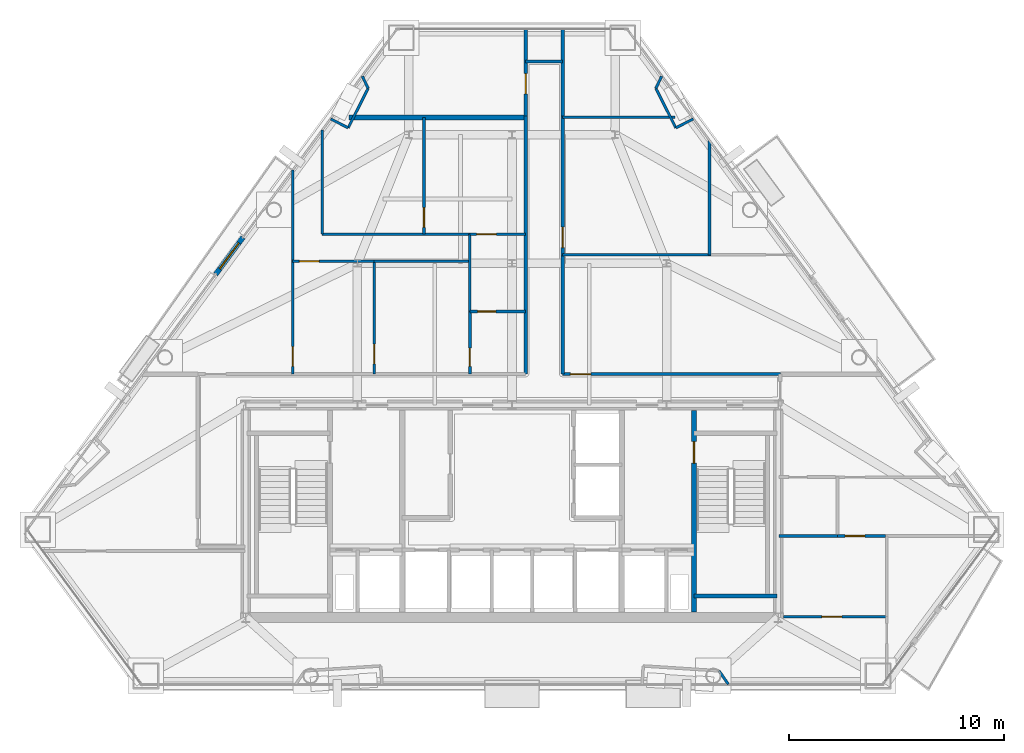
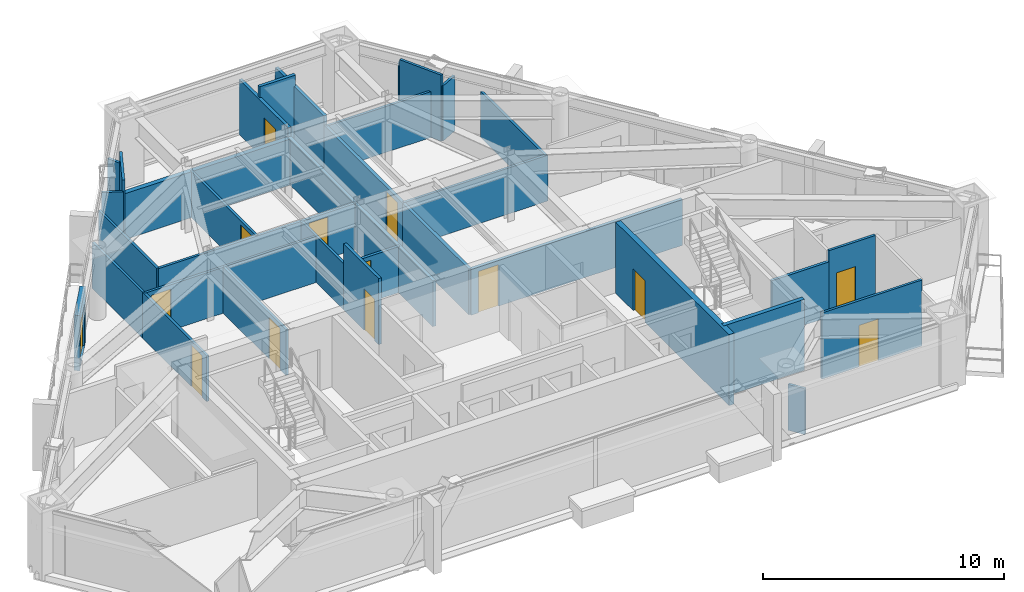
# One storey, part 8 of 11: 36 walls, 14 doors, 14 openings.
"""IFC4 building model written with IfcOpenShell, lengths in metres."""

import ifcopenshell
import ifcopenshell.guid

model = None  # the IFC model being written
_history = None  # IfcOwnerHistory: only IFC2X3 demands one
_inside = {}  # id of a spatial element -> (the spatial element, [elements in it])
_under = {}  # id of a project, library or spatial element -> (it, [spatial elements below it])
_declared = {}  # id of a project -> (the project, [libraries it declares])
_typed = {}  # id of a type object -> (the type object, [elements of that type])
_made_of = {}  # id of a material, layer set ... -> (it, [elements and type objects made of it])


def new_model(schema):
    """Start an empty IFC model of exactly this schema.

    Asked for "IFC4X3", IfcOpenShell would pick the latest addendum, in which some entities
    have other attributes; the version numbers below select the first issue.
    IFC2X3 requires an IfcOwnerHistory on every rooted entity: one is made here for all.
    """
    global model, _history
    if schema == "IFC4X3":
        model = ifcopenshell.file(schema_version=(4, 3, 0, 0))
    else:
        model = ifcopenshell.file(schema=schema)
    _inside.clear()
    _under.clear()
    _declared.clear()
    _typed.clear()
    _made_of.clear()
    _history = None
    if model.schema == "IFC2X3":
        org = make("IfcOrganization", Name="unknown")
        user = make(
            "IfcPersonAndOrganization",
            ThePerson=make("IfcPerson", FamilyName="unknown"),
            TheOrganization=org,
        )
        app = make(
            "IfcApplication",
            ApplicationDeveloper=org,
            Version="unknown",
            ApplicationFullName="unknown",
            ApplicationIdentifier="unknown",
        )
        _history = make(
            "IfcOwnerHistory",
            OwningUser=user,
            OwningApplication=app,
            ChangeAction="ADDED",
            CreationDate=0,
        )
    return model


def make(cls, **values):
    """One entity of the class cls with the attributes given. An attribute that is None is left unset."""
    return model.create_entity(
        cls, **{name: value for name, value in values.items() if value is not None}
    )


def rooted(cls, **values):
    """An entity with a GlobalId (a new one), such as an element, a storey or a relation."""
    return make(cls, GlobalId=ifcopenshell.guid.new(), OwnerHistory=_history, **values)


def si_unit(unit_type, name, prefix=None):
    """IfcSIUnit, for example si_unit("LENGTHUNIT", "METRE", prefix="MILLI")."""
    return make("IfcSIUnit", UnitType=unit_type, Prefix=prefix, Name=name)


def assignment(units):
    """IfcUnitAssignment: the units of a project."""
    return None if units is None else make("IfcUnitAssignment", Units=units)


def point(xyz):
    """IfcCartesianPoint."""
    return None if xyz is None else make("IfcCartesianPoint", Coordinates=xyz)


def direction(xyz):
    """IfcDirection."""
    return None if xyz is None else make("IfcDirection", DirectionRatios=xyz)


def frame(location, z_axis=None, x_axis=None):
    """IfcAxis2Placement3D, a coordinate frame: its origin and axes. An axis left out is left unset."""
    return make(
        "IfcAxis2Placement3D",
        Location=point(location),
        Axis=direction(z_axis),
        RefDirection=direction(x_axis),
    )


def frame_2d(location, x_axis=None):
    """IfcAxis2Placement2D, a coordinate frame in the plane: its origin and x axis."""
    return make(
        "IfcAxis2Placement2D", Location=point(location), RefDirection=direction(x_axis)
    )


def origin():
    """The frame at (0, 0, 0) with its axes left unset."""
    return frame((0.0, 0.0, 0.0))


def place(relative_to, where):
    """IfcLocalPlacement: puts the frame where relative to a parent placement (None: the world)."""
    return make(
        "IfcLocalPlacement", PlacementRelTo=relative_to, RelativePlacement=where
    )


def context(
    kind, dimensions, precision=None, world=None, true_north=None, identifier=None
):
    """IfcGeometricRepresentationContext, for example the 3D "Model" context."""
    return make(
        "IfcGeometricRepresentationContext",
        ContextIdentifier=identifier,
        ContextType=kind,
        CoordinateSpaceDimension=dimensions,
        Precision=precision,
        WorldCoordinateSystem=world,
        TrueNorth=true_north,
    )


def subcontext(parent, identifier, kind, view, scale=None):
    """IfcGeometricRepresentationSubContext, for example "Body" below "Model"."""
    return make(
        "IfcGeometricRepresentationSubContext",
        ContextIdentifier=identifier,
        ContextType=kind,
        ParentContext=parent,
        TargetScale=scale,
        TargetView=view,
    )


def project(units=None, contexts=None):
    """IfcProject with its units and contexts."""
    return rooted(
        "IfcProject",
        Name="project",
        RepresentationContexts=contexts,
        UnitsInContext=assignment(units),
    )


def spatial(cls, under=None, at=None, **own):
    """A site, building, storey or space (cls), placed at a placement, below another one or the project."""
    s = rooted(cls, ObjectPlacement=at, **own)
    if under is not None:
        _under.setdefault(under.id(), (under, []))[1].append(s)
    return s


def profile(cls, at=None, kind="AREA", **sizes):
    """A parametric profile (cls). Its sizes go by their IFC names, for example OverallWidth=200.0."""
    return make(cls, ProfileType=kind, Position=at, **sizes)


def rectangle(**sizes):
    """IfcRectangleProfileDef."""
    return profile("IfcRectangleProfileDef", **sizes)


def extrude(swept, where, along, depth):
    """IfcExtrudedAreaSolid: the profile swept, set in the frame where, extruded along a direction by depth."""
    return make(
        "IfcExtrudedAreaSolid",
        SweptArea=swept,
        Position=where,
        ExtrudedDirection=direction(along),
        Depth=depth,
    )


def shape(context_of_items, identifier, shape_type, items):
    """IfcShapeRepresentation: the items that make up one representation, for example the "Body"."""
    return make(
        "IfcShapeRepresentation",
        ContextOfItems=context_of_items,
        RepresentationIdentifier=identifier,
        RepresentationType=shape_type,
        Items=items,
    )


def material(Name=None, Category=None):
    """IfcMaterial."""
    return make("IfcMaterial", Name=Name, Category=Category)


def layer(
    of_material, thickness, ventilated=None, Name=None, Category=None, Priority=None
):
    """IfcMaterialLayer: one layer of a wall or slab, of a material (None: an air gap)."""
    return make(
        "IfcMaterialLayer",
        Material=of_material,
        LayerThickness=thickness,
        IsVentilated=ventilated,
        Name=Name,
        Category=Category,
        Priority=Priority,
    )


def layer_set(layers, Name=None):
    """IfcMaterialLayerSet."""
    return make("IfcMaterialLayerSet", MaterialLayers=layers, LayerSetName=Name)


def made_of(thing, what):
    """Note that an element or type object is made of a material, layer set ...; save() writes the relation."""
    if what is not None:
        _made_of.setdefault(what.id(), (what, []))[1].append(thing)
    return thing


def type_object(cls, material=None, **own):
    """A type object (cls), such as IfcWallType, which elements share."""
    return made_of(rooted(cls, **own), material)


def element(
    cls,
    number,
    at=None,
    inside=None,
    cuts=None,
    type_object=None,
    material=None,
    context=None,
    identifier="Body",
    shape_type=None,
    held_by="IfcProductDefinitionShape",
    body=None,
    shapes=None,
    **own,
):
    """One element of the class cls, such as IfcWall. Its Tag is "e" and its number.

    at: its placement. inside: the storey or other place that contains it. cuts: it is an
    opening in that element (IfcRelVoidsElement). A single representation is given by context,
    identifier, shape_type and body (its items); several are given by shapes. held_by: the class
    of the entity that holds the representations. save() writes the other relations.
    """
    e = rooted(cls, Tag="e%d" % number, ObjectPlacement=at, **own)
    if body is not None:
        shapes = [shape(context, identifier, shape_type, body)]
    if shapes is not None:
        e.Representation = make(held_by, Representations=shapes)
    if inside is not None:
        _inside.setdefault(inside.id(), (inside, []))[1].append(e)
    if cuts is not None:
        rooted(
            "IfcRelVoidsElement", RelatingBuildingElement=cuts, RelatedOpeningElement=e
        )
    if type_object is not None:
        _typed.setdefault(type_object.id(), (type_object, []))[1].append(e)
    return made_of(e, material)


def fill(opening, filler):
    """IfcRelFillsElement: the door or window that sits in an opening."""
    return rooted(
        "IfcRelFillsElement",
        RelatingOpeningElement=opening,
        RelatedBuildingElement=filler,
    )


def aggregate(whole, parts):
    """IfcRelAggregates: a whole, such as a stair, and the parts it consists of."""
    return rooted("IfcRelAggregates", RelatingObject=whole, RelatedObjects=parts)


def save(model, path):
    """Write the relations noted so far, then the file.

    IfcRelAggregates (storeys below a building ...), IfcRelContainedInSpatialStructure (elements
    in a storey), IfcRelDefinesByType, IfcRelAssociatesMaterial and IfcRelDeclares: one each for
    every whole, place, type object, material and project.
    """
    for whole, parts in _under.values():
        aggregate(whole, parts)
    for where, things in _inside.values():
        rooted(
            "IfcRelContainedInSpatialStructure",
            RelatedElements=things,
            RelatingStructure=where,
        )
    for kind, things in _typed.values():
        rooted("IfcRelDefinesByType", RelatedObjects=things, RelatingType=kind)
    for what, things in _made_of.values():
        rooted("IfcRelAssociatesMaterial", RelatedObjects=things, RelatingMaterial=what)
    for by, libraries in _declared.values():
        rooted("IfcRelDeclares", RelatingContext=by, RelatedDefinitions=libraries)
    model.write(path)


model = new_model("IFC4")

# Units and contexts
model_context = context("Model", 3, precision=1e-05, world=origin(), true_north=direction((0.0, 1.0)))
body_context = subcontext(model_context, "Body", "Model", "MODEL_VIEW")
ifc_project = project(units=[si_unit("LENGTHUNIT", "METRE"), si_unit("AREAUNIT", "SQUARE_METRE"), si_unit("VOLUMEUNIT", "CUBIC_METRE"), si_unit("PLANEANGLEUNIT", "RADIAN"), si_unit("MASSUNIT", "GRAM", prefix="KILO")], contexts=[model_context])

# Site, building, storey
site_placement = place(None, origin())
site = spatial("IfcSite", under=ifc_project, at=site_placement, CompositionType="ELEMENT")
building_placement = place(site_placement, origin())
building = spatial("IfcBuilding", under=site, at=building_placement, Name="Talgorran Terracotta Tower", CompositionType="ELEMENT")
storey_placement = place(building_placement, frame((0.0, 0.0, 140.10009765625)))
storey = spatial("IfcBuildingStorey", under=building, at=storey_placement, Name="L36", CompositionType="ELEMENT", Elevation=140.10009765625)

# Wall, opening, door
ifc_material_1 = material(Name="Concrete C40/50", Category="concrete")
ifc_layer_1 = layer(ifc_material_1, 0.239990234375, Name="WT_BALCONY_SPAND")
ifc_layer_set_1 = layer_set([ifc_layer_1], Name="Concrete C40/50")
wall_type_1 = type_object("IfcWallType", Name="WT_BALCONY_SPAND", PredefinedType="STANDARD", material=ifc_layer_set_1)
wall_1_placement = place(storey_placement, frame((-12.5322265625, 3.613525390625, -0.01513671875), z_axis=(0.0, 0.0, 1.0), x_axis=(-0.594381437757, -0.804183254271, 0.0)))
wall_1 = element("IfcWall", 1, at=wall_1_placement, inside=storey, type_object=wall_type_1, Name="WL-L36-BALP-BAL-NW", PredefinedType="STANDARD", context=body_context, shape_type="SweptSolid", body=[
    extrude(rectangle(XDim=2.139892578125, YDim=0.239990234375, at=frame_2d((1.06982421875, 0.0))), origin(), (0.0, 0.0, 1.0), 2.80712890625),
])
opening_1_placement = place(wall_1_placement, frame((0.320068359375, 0.0, 0.014892578125)))
opening_1 = element("IfcOpeningElement", 2, at=opening_1_placement, cuts=wall_1, Name="Opening D-BAL-L36-2", PredefinedType="OPENING", context=body_context, shape_type="SweptSolid", body=[
    extrude(rectangle(XDim=1.506, YDim=2.203951171875, at=frame_2d((0.75, 1.10205078125))), frame((0.0, 0.1298828125, 0.0), z_axis=(0.0, -1.0, 0.0), x_axis=(1.0, 0.0, 0.0)), (0.0, 0.0, 1.0), 0.260009765625),
])
ifc_material_2 = material(Name="Thermally Broken Aluminium", Category="aluminium")
door_type_1 = type_object("IfcDoorType", Name="DT_BALC_1500", OperationType="SLIDING_TO_RIGHT", PredefinedType="DOOR", material=ifc_material_2)
door_1_placement = place(opening_1_placement, origin())
door_1 = element("IfcDoor", 3, at=door_1_placement, inside=storey, type_object=door_type_1, Name="DR-L36-BAL-BAL-NW", OperationType="SLIDING_TO_RIGHT", OverallHeight=2.199951171875, OverallWidth=1.5, PredefinedType="DOOR", context=body_context, shape_type="SweptSolid", body=[
    extrude(rectangle(XDim=1.5, YDim=2.199951171875, at=frame_2d((0.75, 1.10009765625))), frame((0.0, 0.02490234375, 0.0), z_axis=(0.0, -1.0, 0.0), x_axis=(1.0, 0.0, 0.0)), (0.0, 0.0, 1.0), 0.050048828125),
])
fill(opening_1, door_1)

# Wall
ifc_material_3 = material(Name="Concrete C50/60", Category="concrete")
ifc_layer_2 = layer(ifc_material_3, 0.199951171875, Name="WT_CORE_200")
ifc_layer_set_2 = layer_set([ifc_layer_2], Name="Concrete C50/60")
wall_type_2 = type_object("IfcWallType", Name="WT_CORE_200", PredefinedType="SOLIDWALL", material=ifc_layer_set_2)
wall_2_placement = place(storey_placement, frame((8.47998046875, -13.10009765625, 0.0), z_axis=(0.0, 0.0, 1.0), x_axis=(1.0, 0.0, 0.0)))
element("IfcWall", 4, at=wall_2_placement, inside=storey, type_object=wall_type_2, Name="WL-L36-CW-ST2-S", PredefinedType="SOLIDWALL", context=body_context, shape_type="SweptSolid", body=[
    extrude(rectangle(XDim=3.8701171875, YDim=0.199951171875, at=frame_2d((1.93505859375, 0.0))), origin(), (0.0, 0.0, 1.0), 3.599853515625),
])

# Wall, opening, door
ifc_layer_3 = layer(ifc_material_3, 0.25, Name="WT_CORE_250")
ifc_layer_set_3 = layer_set([ifc_layer_3], Name="Concrete C50/60")
wall_type_3 = type_object("IfcWallType", Name="WT_CORE_250", PredefinedType="SHEAR", material=ifc_layer_set_3)
wall_3_placement = place(storey_placement, frame((8.47998046875, -13.85009765625, 0.0), z_axis=(0.0, 0.0, 1.0), x_axis=(0.0, 1.0, 0.0)))
wall_3 = element("IfcWall", 5, at=wall_3_placement, inside=storey, type_object=wall_type_3, Name="WL-L36-CW-V-E1", PredefinedType="SHEAR", context=body_context, shape_type="SweptSolid", body=[
    extrude(rectangle(XDim=9.400146484375, YDim=0.25, at=frame_2d((4.7001953125, 0.0))), origin(), (0.0, 0.0, 1.0), 3.599853515625),
])
opening_2_placement = place(wall_3_placement, frame((6.949951171875, 0.0, 0.0)))
opening_2 = element("IfcOpeningElement", 6, at=opening_2_placement, cuts=wall_3, Name="Opening DR-ST02", PredefinedType="OPENING", context=body_context, shape_type="SweptSolid", body=[
    extrude(rectangle(XDim=1.006, YDim=2.10409765625, at=frame_2d((0.5, 1.052001953125))), frame((0.0, 0.135009765625, 0.0), z_axis=(0.0, -1.0, 0.0), x_axis=(1.0, 0.0, 0.0)), (0.0, 0.0, 1.0), 0.27001953125),
])
ifc_material_4 = material(Name="Fire-Rated Pressed Steel", Category="steel")
door_type_2 = type_object("IfcDoorType", Name="DT_FIRE_1000", OperationType="NOTDEFINED", PredefinedType="DOOR", material=ifc_material_4)
door_2_placement = place(opening_2_placement, origin())
door_2 = element("IfcDoor", 7, at=door_2_placement, inside=storey, type_object=door_type_2, Name="DR-ST02", OperationType="SINGLE_SWING_RIGHT", OverallHeight=2.10009765625, OverallWidth=1.0, PredefinedType="DOOR", context=body_context, shape_type="SweptSolid", body=[
    extrude(rectangle(XDim=1.0, YDim=2.10009765625, at=frame_2d((0.5, 1.050048828125))), frame((0.0, 0.02490234375, 0.0), z_axis=(0.0, -1.0, 0.0), x_axis=(1.0, 0.0, 0.0)), (0.0, 0.0, 1.0), 0.050048828125),
])
fill(opening_2, door_2)

ifc_material_5 = material(Name="Fire-Rated Steel Stud Plasterboard", Category="steel")
ifc_layer_4 = layer(ifc_material_5, 0.14990234375, Name="WT_FIRE_150")
ifc_layer_set_4 = layer_set([ifc_layer_4], Name="Fire-Rated Steel Stud Plasterboard")
wall_type_4 = type_object("IfcWallType", Name="WT_FIRE_150", PredefinedType="PARTITIONING", material=ifc_layer_set_4)
wall_4_placement = place(storey_placement, frame((2.360107421875, -2.760009765625, 0.0), z_axis=(0.0, 0.0, 1.0), x_axis=(1.0, 0.0, 0.0)))
wall_4 = element("IfcWall", 8, at=wall_4_placement, inside=storey, type_object=wall_type_4, Name="WL-L36-W-L36-R12", PredefinedType="PARTITIONING", context=body_context, shape_type="SweptSolid", body=[
    extrude(rectangle(XDim=10.139892578125, YDim=0.14990234375, at=frame_2d((5.06982421875, 0.0))), origin(), (0.0, 0.0, 1.0), 2.324951171875),
])
opening_3_placement = place(wall_4_placement, frame((0.359619140625, 0.0, 0.0)))
opening_3 = element("IfcOpeningElement", 9, at=opening_3_placement, cuts=wall_4, Name="Opening DR-L36-R15", PredefinedType="OPENING", context=body_context, shape_type="SweptSolid", body=[
    extrude(rectangle(XDim=0.955951171875, YDim=2.10409765625, at=frame_2d((0.47509765625, 1.052001953125))), frame((0.0, 0.0849609375, 0.0), z_axis=(0.0, -1.0, 0.0), x_axis=(1.0, 0.0, 0.0)), (0.0, 0.0, 1.0), 0.169921875),
])
ifc_material_6 = material(Name="Fire-Rated Timber Core", Category="wood")
door_type_3 = type_object("IfcDoorType", Name="DT_FIRE_950", OperationType="NOTDEFINED", PredefinedType="DOOR", material=ifc_material_6)
door_3_placement = place(opening_3_placement, origin())
door_3 = element("IfcDoor", 10, at=door_3_placement, inside=storey, type_object=door_type_3, Name="DR-L36-R15", OperationType="SINGLE_SWING_LEFT", OverallHeight=2.10009765625, OverallWidth=0.949951171875, PredefinedType="DOOR", context=body_context, shape_type="SweptSolid", body=[
    extrude(rectangle(XDim=0.949951171875, YDim=2.10009765625, at=frame_2d((0.47509765625, 1.050048828125))), frame((0.0, 0.02490234375, 0.0), z_axis=(0.0, -1.0, 0.0), x_axis=(1.0, 0.0, 0.0)), (0.0, 0.0, 1.0), 0.050048828125),
])
fill(opening_3, door_3)

wall_5_placement = place(storey_placement, frame((2.360107421875, 2.739990234375, 0.0), z_axis=(0.0, 0.0, 1.0), x_axis=(0.0, 1.0, 0.0)))
wall_5 = element("IfcWall", 11, at=wall_5_placement, inside=storey, type_object=wall_type_4, Name="WL-L36-W-L36-R13", PredefinedType="PARTITIONING", context=body_context, shape_type="SweptSolid", body=[
    extrude(rectangle(XDim=6.52001953125, YDim=0.14990234375, at=frame_2d((3.260009765625, 0.0))), origin(), (0.0, 0.0, 1.0), 2.324951171875),
])
opening_4_placement = place(wall_5_placement, frame((0.3984375, 0.0, 0.0)))
opening_4 = element("IfcOpeningElement", 12, at=opening_4_placement, cuts=wall_5, Name="Opening DR-L36-R16", PredefinedType="OPENING", context=body_context, shape_type="SweptSolid", body=[
    extrude(rectangle(XDim=0.955951171875, YDim=2.10409765625, at=frame_2d((0.47509765625, 1.052001953125))), frame((0.0, 0.0849609375, 0.0), z_axis=(0.0, -1.0, 0.0), x_axis=(1.0, 0.0, 0.0)), (0.0, 0.0, 1.0), 0.169921875),
])
door_4_placement = place(opening_4_placement, origin())
door_4 = element("IfcDoor", 13, at=door_4_placement, inside=storey, type_object=door_type_3, Name="DR-L36-R16", OperationType="SINGLE_SWING_RIGHT", OverallHeight=2.10009765625, OverallWidth=0.949951171875, PredefinedType="DOOR", context=body_context, shape_type="SweptSolid", body=[
    extrude(rectangle(XDim=0.949951171875, YDim=2.10009765625, at=frame_2d((0.47509765625, 1.050048828125))), frame((0.0, 0.02490234375, 0.0), z_axis=(0.0, -1.0, 0.0), x_axis=(1.0, 0.0, 0.0)), (0.0, 0.0, 1.0), 0.050048828125),
])
fill(opening_4, door_4)

# Walls
wall_6_placement = place(storey_placement, frame((2.360107421875, -2.760009765625, 0.0), z_axis=(0.0, 0.0, 1.0), x_axis=(0.0, 1.0, 0.0)))
element("IfcWall", 14, at=wall_6_placement, inside=storey, type_object=wall_type_4, Name="WL-L36-W-L36-R11", PredefinedType="PARTITIONING", context=body_context, shape_type="SweptSolid", body=[
    extrude(rectangle(XDim=5.498046875, YDim=0.14990234375, at=frame_2d((2.7490234375, 0.0))), origin(), (0.0, 0.0, 1.0), 2.324951171875),
])
wall_7_placement = place(storey_placement, frame((0.639892578125, -2.760009765625, 0.0), z_axis=(0.0, 0.0, 1.0), x_axis=(0.0, 1.0, 0.0)))
element("IfcWall", 15, at=wall_7_placement, inside=storey, type_object=wall_type_4, Name="WL-L36-W-L36-R10", PredefinedType="PARTITIONING", context=body_context, shape_type="SweptSolid", body=[
    extrude(rectangle(XDim=12.02001953125, YDim=0.14990234375, at=frame_2d((6.010009765625, 0.0))), origin(), (0.0, 0.0, 1.0), 2.324951171875),
])

# Wall, opening, door
wall_8_placement = place(storey_placement, frame((0.639892578125, 9.261962890625, 0.0), z_axis=(0.0, 0.0, 1.0), x_axis=(0.0, 1.0, 0.0)))
wall_8 = element("IfcWall", 16, at=wall_8_placement, inside=storey, type_object=wall_type_4, Name="WL-L36-W-L36-R14", PredefinedType="PARTITIONING", context=body_context, shape_type="SweptSolid", body=[
    extrude(rectangle(XDim=4.051513671875, YDim=0.14990234375, at=frame_2d((2.02587890625, 0.0))), origin(), (0.0, 0.0, 1.0), 2.7919921875),
])
opening_5_placement = place(wall_8_placement, frame((1.031005859375, 0.0, 0.0)))
opening_5 = element("IfcOpeningElement", 17, at=opening_5_placement, cuts=wall_8, Name="Opening DR-L36-R18", PredefinedType="OPENING", context=body_context, shape_type="SweptSolid", body=[
    extrude(rectangle(XDim=0.955951171875, YDim=2.10409765625, at=frame_2d((0.47509765625, 1.052001953125))), frame((0.0, 0.0849609375, 0.0), z_axis=(0.0, -1.0, 0.0), x_axis=(1.0, 0.0, 0.0)), (0.0, 0.0, 1.0), 0.169921875),
])
door_5_placement = place(opening_5_placement, origin())
door_5 = element("IfcDoor", 18, at=door_5_placement, inside=storey, type_object=door_type_3, Name="DR-L36-R18", OperationType="SINGLE_SWING_RIGHT", OverallHeight=2.10009765625, OverallWidth=0.949951171875, PredefinedType="DOOR", context=body_context, shape_type="SweptSolid", body=[
    extrude(rectangle(XDim=0.949951171875, YDim=2.10009765625, at=frame_2d((0.47509765625, 1.050048828125))), frame((0.0, 0.02490234375, 0.0), z_axis=(0.0, -1.0, 0.0), x_axis=(1.0, 0.0, 0.0)), (0.0, 0.0, 1.0), 0.050048828125),
])
fill(opening_5, door_5)

# Walls
wall_9_placement = place(storey_placement, frame((2.360107421875, 9.261962890625, 0.0), z_axis=(0.0, 0.0, 1.0), x_axis=(0.0, 1.0, 0.0)))
element("IfcWall", 19, at=wall_9_placement, inside=storey, type_object=wall_type_4, Name="WL-L36-W-L36-R16", PredefinedType="PARTITIONING", context=body_context, shape_type="SweptSolid", body=[
    extrude(rectangle(XDim=4.051513671875, YDim=0.14990234375, at=frame_2d((2.02587890625, 0.0))), origin(), (0.0, 0.0, 1.0), 2.7919921875),
])
wall_10_placement = place(storey_placement, frame((0.639892578125, 11.800048828125, 0.0), z_axis=(0.0, 0.0, 1.0), x_axis=(1.0, 0.0, 0.0)))
element("IfcWall", 20, at=wall_10_placement, inside=storey, type_object=wall_type_4, Name="WL-L36-W-L36-R15", PredefinedType="PARTITIONING", context=body_context, shape_type="SweptSolid", body=[
    extrude(rectangle(XDim=1.72021484375, YDim=0.14990234375, at=frame_2d((0.860107421875, 0.0))), origin(), (0.0, 0.0, 1.0), 3.349853515625),
])
ifc_material_7 = material(Name="Acoustic Masonry and Plasterboard", Category="masonry")
ifc_layer_5 = layer(ifc_material_7, 0.219970703125, Name="WT_PARTY_220")
ifc_layer_set_5 = layer_set([ifc_layer_5], Name="Acoustic Masonry and Plasterboard")
wall_type_5 = type_object("IfcWallType", Name="WT_PARTY_220", PredefinedType="PARTITIONING", material=ifc_layer_set_5)
wall_11_placement = place(storey_placement, frame((-7.60009765625, 9.199951171875, 0.0), z_axis=(0.0, 0.0, 1.0), x_axis=(1.0, 0.0, 0.0)))
element("IfcWall", 21, at=wall_11_placement, inside=storey, type_object=wall_type_5, Name="WL-L36-W-L36-R44", PredefinedType="PARTITIONING", context=body_context, shape_type="SweptSolid", body=[
    extrude(rectangle(XDim=8.239990234375, YDim=0.219970703125, at=frame_2d((4.1201171875, 0.0))), origin(), (0.0, 0.0, 1.0), 2.324951171875),
])
ifc_material_8 = material(Name="Insulated Steel Stud Plasterboard", Category="steel")
ifc_layer_6 = layer(ifc_material_8, 0.1201171875, Name="WT_PART_120")
ifc_layer_set_6 = layer_set([ifc_layer_6], Name="Insulated Steel Stud Plasterboard")
wall_type_6 = type_object("IfcWallType", Name="WT_PART_120", PredefinedType="PARTITIONING", material=ifc_layer_set_6)
wall_12_placement = place(storey_placement, frame((2.360107421875, 2.800048828125, 0.0), z_axis=(0.0, 0.0, 1.0), x_axis=(1.0, 0.0, 0.0)))
element("IfcWall", 22, at=wall_12_placement, inside=storey, type_object=wall_type_6, Name="WL-L36-W-L36-R45", PredefinedType="PARTITIONING", context=body_context, shape_type="SweptSolid", body=[
    extrude(rectangle(XDim=6.89990234375, YDim=0.1201171875, at=frame_2d((3.449951171875, 0.0))), origin(), (0.0, 0.0, 1.0), 2.324951171875),
])

# Wall, opening, door
wall_13_placement = place(storey_placement, frame((-4.10009765625, 3.760009765625, 0.0), z_axis=(0.0, 0.0, 1.0), x_axis=(0.0, 1.0, 0.0)))
wall_13 = element("IfcWall", 23, at=wall_13_placement, inside=storey, type_object=wall_type_6, Name="WL-L36-W-L36-R42", PredefinedType="PARTITIONING", context=body_context, shape_type="SweptSolid", body=[
    extrude(rectangle(XDim=5.43994140625, YDim=0.1201171875, at=frame_2d((2.719970703125, 0.0))), origin(), (0.0, 0.0, 1.0), 2.324951171875),
])
opening_6_placement = place(wall_13_placement, frame((0.320068359375, 0.0, 0.0)))
opening_6 = element("IfcOpeningElement", 24, at=opening_6_placement, cuts=wall_13, Name="Opening DR-L36-R14", PredefinedType="OPENING", context=body_context, shape_type="SweptSolid", body=[
    extrude(rectangle(XDim=0.925921875, YDim=2.10409765625, at=frame_2d((0.4599609375, 1.052001953125))), frame((0.0, 0.070068359375, 0.0), z_axis=(0.0, -1.0, 0.0), x_axis=(1.0, 0.0, 0.0)), (0.0, 0.0, 1.0), 0.14013671875),
])
ifc_material_9 = material(Name="Solid-Core Painted Timber", Category="wood")
door_type_4 = type_object("IfcDoorType", Name="DT_INT_920", OperationType="NOTDEFINED", PredefinedType="DOOR", material=ifc_material_9)
door_6_placement = place(opening_6_placement, origin())
door_6 = element("IfcDoor", 25, at=door_6_placement, inside=storey, type_object=door_type_4, Name="DR-L36-R14", OperationType="SINGLE_SWING_RIGHT", OverallHeight=2.10009765625, OverallWidth=0.919921875, PredefinedType="DOOR", context=body_context, shape_type="SweptSolid", body=[
    extrude(rectangle(XDim=0.919921875, YDim=2.10009765625, at=frame_2d((0.4599609375, 1.050048828125))), frame((0.0, 0.02490234375, 0.0), z_axis=(0.0, -1.0, 0.0), x_axis=(1.0, 0.0, 0.0)), (0.0, 0.0, 1.0), 0.050048828125),
])
fill(opening_6, door_6)

# Wall
wall_14_placement = place(storey_placement, frame((9.199951171875, 2.800048828125, 0.0), z_axis=(0.0, 0.0, 1.0), x_axis=(0.0, 1.0, 0.0)))
element("IfcWall", 26, at=wall_14_placement, inside=storey, type_object=wall_type_6, Name="WL-L36-W-L36-R47", PredefinedType="PARTITIONING", context=body_context, shape_type="SweptSolid", body=[
    extrude(rectangle(XDim=5.322265625, YDim=0.1201171875, at=frame_2d((2.6611328125, 0.0))), origin(), (0.0, 0.0, 1.0), 2.324951171875),
])

# Wall, opening, door
wall_15_placement = place(storey_placement, frame((-10.219970703125, -2.760009765625, 0.0), z_axis=(0.0, 0.0, 1.0), x_axis=(0.0, 1.0, 0.0)))
wall_15 = element("IfcWall", 27, at=wall_15_placement, inside=storey, type_object=wall_type_6, Name="WL-L36-W-L36-R34", PredefinedType="PARTITIONING", context=body_context, shape_type="SweptSolid", body=[
    extrude(rectangle(XDim=5.320068359375, YDim=0.1201171875, at=frame_2d((2.66015625, 0.0))), origin(), (0.0, 0.0, 1.0), 2.324951171875),
])
opening_7_placement = place(wall_15_placement, frame((0.357666015625, 0.0, 0.0)))
opening_7 = element("IfcOpeningElement", 28, at=opening_7_placement, cuts=wall_15, Name="Opening DR-L36-R11", PredefinedType="OPENING", context=body_context, shape_type="SweptSolid", body=[
    extrude(rectangle(XDim=0.925921875, YDim=2.10409765625, at=frame_2d((0.4599609375, 1.052001953125))), frame((0.0, 0.070068359375, 0.0), z_axis=(0.0, -1.0, 0.0), x_axis=(1.0, 0.0, 0.0)), (0.0, 0.0, 1.0), 0.14013671875),
])
door_7_placement = place(opening_7_placement, origin())
door_7 = element("IfcDoor", 29, at=door_7_placement, inside=storey, type_object=door_type_4, Name="DR-L36-R11", OperationType="SINGLE_SWING_LEFT", OverallHeight=2.10009765625, OverallWidth=0.919921875, PredefinedType="DOOR", context=body_context, shape_type="SweptSolid", body=[
    extrude(rectangle(XDim=0.919921875, YDim=2.10009765625, at=frame_2d((0.4599609375, 1.050048828125))), frame((0.0, 0.02490234375, 0.0), z_axis=(0.0, -1.0, 0.0), x_axis=(1.0, 0.0, 0.0)), (0.0, 0.0, 1.0), 0.050048828125),
])
fill(opening_7, door_7)

wall_16_placement = place(storey_placement, frame((-6.419921875, -2.760009765625, 0.0), z_axis=(0.0, 0.0, 1.0), x_axis=(0.0, 1.0, 0.0)))
wall_16 = element("IfcWall", 30, at=wall_16_placement, inside=storey, type_object=wall_type_6, Name="WL-L36-W-L36-R36", PredefinedType="PARTITIONING", context=body_context, shape_type="SweptSolid", body=[
    extrude(rectangle(XDim=5.260009765625, YDim=0.1201171875, at=frame_2d((2.6298828125, 0.0))), origin(), (0.0, 0.0, 1.0), 2.324951171875),
])
opening_8_placement = place(wall_16_placement, frame((0.478271484375, 0.0, 0.0)))
opening_8 = element("IfcOpeningElement", 31, at=opening_8_placement, cuts=wall_16, Name="Opening DR-L36-R12", PredefinedType="OPENING", context=body_context, shape_type="SweptSolid", body=[
    extrude(rectangle(XDim=0.925921875, YDim=2.10409765625, at=frame_2d((0.4599609375, 1.052001953125))), frame((0.0, 0.070068359375, 0.0), z_axis=(0.0, -1.0, 0.0), x_axis=(1.0, 0.0, 0.0)), (0.0, 0.0, 1.0), 0.14013671875),
])
door_8_placement = place(opening_8_placement, origin())
door_8 = element("IfcDoor", 32, at=door_8_placement, inside=storey, type_object=door_type_4, Name="DR-L36-R12", OperationType="SINGLE_SWING_RIGHT", OverallHeight=2.10009765625, OverallWidth=0.919921875, PredefinedType="DOOR", context=body_context, shape_type="SweptSolid", body=[
    extrude(rectangle(XDim=0.919921875, YDim=2.10009765625, at=frame_2d((0.4599609375, 1.050048828125))), frame((0.0, 0.02490234375, 0.0), z_axis=(0.0, -1.0, 0.0), x_axis=(1.0, 0.0, 0.0)), (0.0, 0.0, 1.0), 0.050048828125),
])
fill(opening_8, door_8)

# Wall
wall_17_placement = place(storey_placement, frame((2.360107421875, 9.199951171875, 0.0), z_axis=(0.0, 0.0, 1.0), x_axis=(1.0, 0.0, 0.0)))
element("IfcWall", 33, at=wall_17_placement, inside=storey, type_object=wall_type_6, Name="WL-L36-W-L36-R48", PredefinedType="PARTITIONING", context=body_context, shape_type="SweptSolid", body=[
    extrude(rectangle(XDim=5.239990234375, YDim=0.1201171875, at=frame_2d((2.6201171875, 0.0))), origin(), (0.0, 0.0, 1.0), 2.324951171875),
])

# Wall, opening, door
wall_18_placement = place(storey_placement, frame((12.652099609375, -14.06005859375, 0.0), z_axis=(0.0, 0.0, 1.0), x_axis=(1.0, 0.0, 0.0)))
wall_18 = element("IfcWall", 34, at=wall_18_placement, inside=storey, type_object=wall_type_6, Name="WL-L36-W-L36-R26", PredefinedType="PARTITIONING", context=body_context, shape_type="SweptSolid", body=[
    extrude(rectangle(XDim=4.807861328125, YDim=0.1201171875, at=frame_2d((2.40380859375, 0.0))), origin(), (0.0, 0.0, 1.0), 3.349853515625),
])
opening_9_placement = place(wall_18_placement, frame((1.7900390625, 0.0, 0.0)))
opening_9 = element("IfcOpeningElement", 35, at=opening_9_placement, cuts=wall_18, Name="Opening DR-L36-R07", PredefinedType="OPENING", context=body_context, shape_type="SweptSolid", body=[
    extrude(rectangle(XDim=0.925921875, YDim=2.10409765625, at=frame_2d((0.4599609375, 1.052001953125))), frame((0.0, 0.070068359375, 0.0), z_axis=(0.0, -1.0, 0.0), x_axis=(1.0, 0.0, 0.0)), (0.0, 0.0, 1.0), 0.14013671875),
])
door_9_placement = place(opening_9_placement, origin())
door_9 = element("IfcDoor", 36, at=door_9_placement, inside=storey, type_object=door_type_4, Name="DR-L36-R07", OperationType="SINGLE_SWING_LEFT", OverallHeight=2.10009765625, OverallWidth=0.919921875, PredefinedType="DOOR", context=body_context, shape_type="SweptSolid", body=[
    extrude(rectangle(XDim=0.919921875, YDim=2.10009765625, at=frame_2d((0.4599609375, 1.050048828125))), frame((0.0, 0.02490234375, 0.0), z_axis=(0.0, -1.0, 0.0), x_axis=(1.0, 0.0, 0.0)), (0.0, 0.0, 1.0), 0.050048828125),
])
fill(opening_9, door_9)

# Walls
wall_19_placement = place(storey_placement, frame((-8.840087890625, 3.760009765625, 0.0), z_axis=(0.0, 0.0, 1.0), x_axis=(0.0, 1.0, 0.0)))
element("IfcWall", 37, at=wall_19_placement, inside=storey, type_object=wall_type_6, Name="WL-L36-W-L36-R39", PredefinedType="PARTITIONING", context=body_context, shape_type="SweptSolid", body=[
    extrude(rectangle(XDim=4.849365234375, YDim=0.1201171875, at=frame_2d((2.4248046875, 0.0))), origin(), (0.0, 0.0, 1.0), 2.324951171875),
])
wall_20_placement = place(storey_placement, frame((-8.840087890625, 3.760009765625, 0.0), z_axis=(0.0, 0.0, 1.0), x_axis=(1.0, 0.0, 0.0)))
element("IfcWall", 38, at=wall_20_placement, inside=storey, type_object=wall_type_6, Name="WL-L36-W-L36-R40", PredefinedType="PARTITIONING", context=body_context, shape_type="SweptSolid", body=[
    extrude(rectangle(XDim=6.880126953125, YDim=0.1201171875, at=frame_2d((3.43994140625, 0.0))), origin(), (0.0, 0.0, 1.0), 2.324951171875),
])
wall_21_placement = place(storey_placement, frame((-6.419921875, 2.5, 0.0), z_axis=(0.0, 0.0, 1.0), x_axis=(1.0, 0.0, 0.0)))
element("IfcWall", 39, at=wall_21_placement, inside=storey, type_object=wall_type_6, Name="WL-L36-W-L36-R38", PredefinedType="PARTITIONING", context=body_context, shape_type="SweptSolid", body=[
    extrude(rectangle(XDim=4.4599609375, YDim=0.1201171875, at=frame_2d((2.22998046875, 0.0))), origin(), (0.0, 0.0, 1.0), 2.324951171875),
])
wall_22_placement = place(storey_placement, frame((-10.219970703125, 2.56201171875, 0.0), z_axis=(0.0, 0.0, 1.0), x_axis=(0.0, 1.0, 0.0)))
element("IfcWall", 40, at=wall_22_placement, inside=storey, type_object=wall_type_6, Name="WL-L36-W-L36-R35", PredefinedType="PARTITIONING", context=body_context, shape_type="SweptSolid", body=[
    extrude(rectangle(XDim=4.18017578125, YDim=0.1201171875, at=frame_2d((2.090087890625, 0.0))), origin(), (0.0, 0.0, 1.0), 2.324951171875),
])

# Wall, opening, door
wall_23_placement = place(storey_placement, frame((-10.219970703125, 2.5, 0.0), z_axis=(0.0, 0.0, 1.0), x_axis=(1.0, 0.0, 0.0)))
wall_23 = element("IfcWall", 41, at=wall_23_placement, inside=storey, type_object=wall_type_6, Name="WL-L36-W-L36-R37", PredefinedType="PARTITIONING", context=body_context, shape_type="SweptSolid", body=[
    extrude(rectangle(XDim=3.800048828125, YDim=0.1201171875, at=frame_2d((1.89990234375, 0.0))), origin(), (0.0, 0.0, 1.0), 2.324951171875),
])
opening_10_placement = place(wall_23_placement, frame((0.31689453125, 0.0, 0.0)))
opening_10 = element("IfcOpeningElement", 42, at=opening_10_placement, cuts=wall_23, Name="Opening DR-L36-R13", PredefinedType="OPENING", context=body_context, shape_type="SweptSolid", body=[
    extrude(rectangle(XDim=0.925921875, YDim=2.10409765625, at=frame_2d((0.4599609375, 1.052001953125))), frame((0.0, 0.070068359375, 0.0), z_axis=(0.0, -1.0, 0.0), x_axis=(1.0, 0.0, 0.0)), (0.0, 0.0, 1.0), 0.14013671875),
])
door_10_placement = place(opening_10_placement, origin())
door_10 = element("IfcDoor", 43, at=door_10_placement, inside=storey, type_object=door_type_4, Name="DR-L36-R13", OperationType="SINGLE_SWING_LEFT", OverallHeight=2.10009765625, OverallWidth=0.919921875, PredefinedType="DOOR", context=body_context, shape_type="SweptSolid", body=[
    extrude(rectangle(XDim=0.919921875, YDim=2.10009765625, at=frame_2d((0.4599609375, 1.050048828125))), frame((0.0, 0.02490234375, 0.0), z_axis=(0.0, -1.0, 0.0), x_axis=(1.0, 0.0, 0.0)), (0.0, 0.0, 1.0), 0.050048828125),
])
fill(opening_10, door_10)

wall_24_placement = place(storey_placement, frame((-1.9599609375, 3.760009765625, 0.0), z_axis=(0.0, 0.0, 1.0), x_axis=(1.0, 0.0, 0.0)))
wall_24 = element("IfcWall", 44, at=wall_24_placement, inside=storey, type_object=wall_type_6, Name="WL-L36-W-L36-R33", PredefinedType="PARTITIONING", context=body_context, shape_type="SweptSolid", body=[
    extrude(rectangle(XDim=2.599853515625, YDim=0.1201171875, at=frame_2d((1.2998046875, 0.0))), origin(), (0.0, 0.0, 1.0), 2.324951171875),
])
opening_11_placement = place(wall_24_placement, frame((0.314697265625, 0.0, 0.0)))
opening_11 = element("IfcOpeningElement", 45, at=opening_11_placement, cuts=wall_24, Name="Opening DR-L36-R09", PredefinedType="OPENING", context=body_context, shape_type="SweptSolid", body=[
    extrude(rectangle(XDim=0.925921875, YDim=2.10409765625, at=frame_2d((0.4599609375, 1.052001953125))), frame((0.0, 0.070068359375, 0.0), z_axis=(0.0, -1.0, 0.0), x_axis=(1.0, 0.0, 0.0)), (0.0, 0.0, 1.0), 0.14013671875),
])
door_11_placement = place(opening_11_placement, origin())
door_11 = element("IfcDoor", 46, at=door_11_placement, inside=storey, type_object=door_type_4, Name="DR-L36-R09", OperationType="SINGLE_SWING_LEFT", OverallHeight=2.10009765625, OverallWidth=0.919921875, PredefinedType="DOOR", context=body_context, shape_type="SweptSolid", body=[
    extrude(rectangle(XDim=0.919921875, YDim=2.10009765625, at=frame_2d((0.4599609375, 1.050048828125))), frame((0.0, 0.02490234375, 0.0), z_axis=(0.0, -1.0, 0.0), x_axis=(1.0, 0.0, 0.0)), (0.0, 0.0, 1.0), 0.050048828125),
])
fill(opening_11, door_11)

# Wall
wall_25_placement = place(storey_placement, frame((-1.9599609375, 0.159912109375, 0.0), z_axis=(0.0, 0.0, 1.0), x_axis=(0.0, 1.0, 0.0)))
element("IfcWall", 47, at=wall_25_placement, inside=storey, type_object=wall_type_6, Name="WL-L36-W-L36-R31", PredefinedType="PARTITIONING", context=body_context, shape_type="SweptSolid", body=[
    extrude(rectangle(XDim=3.60009765625, YDim=0.1201171875, at=frame_2d((1.800048828125, 0.0))), origin(), (0.0, 0.0, 1.0), 2.324951171875),
])

# Wall, opening, door
wall_26_placement = place(storey_placement, frame((15.159912109375, -10.300048828125, 0.0), z_axis=(0.0, 0.0, 1.0), x_axis=(1.0, 0.0, 0.0)))
wall_26 = element("IfcWall", 48, at=wall_26_placement, inside=storey, type_object=wall_type_6, Name="WL-L36-W-L36-R24", PredefinedType="PARTITIONING", context=body_context, shape_type="SweptSolid", body=[
    extrude(rectangle(XDim=2.238037109375, YDim=0.1201171875, at=frame_2d((1.119140625, 0.0))), origin(), (0.0, 0.0, 1.0), 3.349853515625),
])
opening_12_placement = place(wall_26_placement, frame((0.360107421875, 0.0, 0.0)))
opening_12 = element("IfcOpeningElement", 49, at=opening_12_placement, cuts=wall_26, Name="Opening DR-L36-R19", PredefinedType="OPENING", context=body_context, shape_type="SweptSolid", body=[
    extrude(rectangle(XDim=0.925921875, YDim=2.10409765625, at=frame_2d((0.4599609375, 1.052001953125))), frame((0.0, 0.070068359375, 0.0), z_axis=(0.0, -1.0, 0.0), x_axis=(1.0, 0.0, 0.0)), (0.0, 0.0, 1.0), 0.14013671875),
])
door_12_placement = place(opening_12_placement, origin())
door_12 = element("IfcDoor", 50, at=door_12_placement, inside=storey, type_object=door_type_4, Name="DR-L36-R19", OperationType="SINGLE_SWING_LEFT", OverallHeight=2.10009765625, OverallWidth=0.919921875, PredefinedType="DOOR", context=body_context, shape_type="SweptSolid", body=[
    extrude(rectangle(XDim=0.919921875, YDim=2.10009765625, at=frame_2d((0.4599609375, 1.050048828125))), frame((0.0, 0.02490234375, 0.0), z_axis=(0.0, -1.0, 0.0), x_axis=(1.0, 0.0, 0.0)), (0.0, 0.0, 1.0), 0.050048828125),
])
fill(opening_12, door_12)

# Walls
for number, where, z_axis, x_axis, name in (
    (51, (-6.701904296875, 10.55322265625, 0.0), (0.0, 0.0, 1.0), (-0.451617656026, -0.892211573992, 0.0), "WL-L36-BW-L36-15"),
    (52, (7.632080078125, 8.715576171875, 0.0), (0.0, 0.0, 1.0), (-0.451617656026, 0.892211573992, 0.0), "WL-L36-BW-L36-18"),
):
    element("IfcWall", number, at=place(storey_placement, frame(where, z_axis=z_axis, x_axis=x_axis)), inside=storey, type_object=wall_type_6, Name=name, PredefinedType="PARTITIONING", context=body_context, shape_type="SweptSolid", body=[
        extrude(rectangle(XDim=2.0595703125, YDim=0.1201171875, at=frame_2d((1.02978515625, 0.0))), origin(), (0.0, 0.0, 1.0), 3.349853515625),
    ])
for number, where, z_axis, x_axis, name in (
    (53, (-7.632080078125, 8.715576171875, 0.0), (0.0, 0.0, 1.0), (-0.892273316606, 0.451495657202, 0.0), "WL-L36-BW-L36-16"),
    (54, (8.445068359375, 9.126953125, 0.0), (0.0, 0.0, 1.0), (-0.892273316606, -0.451495657202, 0.0), "WL-L36-BW-L36-17"),
):
    element("IfcWall", number, at=place(storey_placement, frame(where, z_axis=z_axis, x_axis=x_axis)), inside=storey, type_object=wall_type_6, Name=name, PredefinedType="PARTITIONING", context=body_context, shape_type="SweptSolid", body=[
        extrude(rectangle(XDim=0.9111328125, YDim=0.1201171875, at=frame_2d((0.45556640625, 0.0))), origin(), (0.0, 0.0, 1.0), 2.7919921875),
    ])
wall_27_placement = place(storey_placement, frame((9.643798828125, -16.581298828125, 0.0), z_axis=(0.0, 0.0, 1.0), x_axis=(0.570736922887, -0.821132976353, 0.0)))
element("IfcWall", 55, at=wall_27_placement, inside=storey, type_object=wall_type_6, Name="WL-L36-BW-L36-05", PredefinedType="PARTITIONING", context=body_context, shape_type="SweptSolid", body=[
    extrude(rectangle(XDim=0.764404296875, YDim=0.1201171875, at=frame_2d((0.38232421875, 0.0))), origin(), (0.0, 0.0, 1.0), 2.324951171875),
])
for number, where, z_axis, x_axis, name in (
    (56, (-6.972412109375, 11.11962890625, 0.0), (0.0, 0.0, 1.0), (0.430959965901, -0.902371047735, 0.0), "WL-L36-BW-L36-14"),
    (57, (6.701904296875, 10.55322265625, 0.0), (0.0, 0.0, 1.0), (0.430959965901, 0.902371047735, 0.0), "WL-L36-BW-L36-19"),
):
    element("IfcWall", number, at=place(storey_placement, frame(where, z_axis=z_axis, x_axis=x_axis)), inside=storey, type_object=wall_type_6, Name=name, PredefinedType="PARTITIONING", context=body_context, shape_type="SweptSolid", body=[
        extrude(rectangle(XDim=0.627685546875, YDim=0.1201171875, at=frame_2d((0.31396484375, 0.0))), origin(), (0.0, 0.0, 1.0), 2.7919921875),
    ])

# Wall, opening, door
ifc_material_10 = material(Name="Moisture-Resistant Stud Wall")
ifc_layer_7 = layer(ifc_material_10, 0.135009765625, Name="WT_PART_135")
ifc_layer_set_7 = layer_set([ifc_layer_7], Name="Moisture-Resistant Stud Wall")
wall_type_7 = type_object("IfcWallType", Name="WT_PART_135", PredefinedType="PARTITIONING", material=ifc_layer_set_7)
wall_28_placement = place(storey_placement, frame((-1.9599609375, -2.760009765625, 0.0), z_axis=(0.0, 0.0, 1.0), x_axis=(0.0, 1.0, 0.0)))
wall_28 = element("IfcWall", 58, at=wall_28_placement, inside=storey, type_object=wall_type_7, Name="WL-L36-W-L36-R30", PredefinedType="PARTITIONING", context=body_context, shape_type="SweptSolid", body=[
    extrude(rectangle(XDim=2.919921875, YDim=0.135009765625, at=frame_2d((1.4599609375, 0.0))), origin(), (0.0, 0.0, 1.0), 3.349853515625),
])
opening_13_placement = place(wall_28_placement, frame((0.358642578125, 0.0, 0.0)))
opening_13 = element("IfcOpeningElement", 59, at=opening_13_placement, cuts=wall_28, Name="Opening DR-L36-R20", PredefinedType="OPENING", context=body_context, shape_type="SweptSolid", body=[
    extrude(rectangle(XDim=0.85609765625, YDim=2.10409765625, at=frame_2d((0.425048828125, 1.052001953125))), frame((0.0, 0.07763671875, 0.0), z_axis=(0.0, -1.0, 0.0), x_axis=(1.0, 0.0, 0.0)), (0.0, 0.0, 1.0), 0.155029296875),
])
ifc_material_11 = material(Name="Moisture-Resistant Solid Timber", Category="wood")
door_type_5 = type_object("IfcDoorType", Name="DT_INT_850", OperationType="NOTDEFINED", PredefinedType="DOOR", material=ifc_material_11)
door_13_placement = place(opening_13_placement, origin())
door_13 = element("IfcDoor", 60, at=door_13_placement, inside=storey, type_object=door_type_5, Name="DR-L36-R20", OperationType="SINGLE_SWING_RIGHT", OverallHeight=2.10009765625, OverallWidth=0.85009765625, PredefinedType="DOOR", context=body_context, shape_type="SweptSolid", body=[
    extrude(rectangle(XDim=0.85009765625, YDim=2.10009765625, at=frame_2d((0.425048828125, 1.050048828125))), frame((0.0, 0.02490234375, 0.0), z_axis=(0.0, -1.0, 0.0), x_axis=(1.0, 0.0, 0.0)), (0.0, 0.0, 1.0), 0.050048828125),
])
fill(opening_13, door_13)

# Wall
wall_29_placement = place(storey_placement, frame((12.43994140625, -10.300048828125, 0.0), z_axis=(0.0, 0.0, 1.0), x_axis=(1.0, 0.0, 0.0)))
element("IfcWall", 61, at=wall_29_placement, inside=storey, type_object=wall_type_7, Name="WL-L36-W-L36-R23", PredefinedType="PARTITIONING", context=body_context, shape_type="SweptSolid", body=[
    extrude(rectangle(XDim=2.719970703125, YDim=0.135009765625, at=frame_2d((1.35986328125, 0.0))), origin(), (0.0, 0.0, 1.0), 2.7919921875),
])

# Wall, opening, door
wall_30_placement = place(storey_placement, frame((-1.9599609375, 0.159912109375, 0.0), z_axis=(0.0, 0.0, 1.0), x_axis=(1.0, 0.0, 0.0)))
wall_30 = element("IfcWall", 62, at=wall_30_placement, inside=storey, type_object=wall_type_7, Name="WL-L36-W-L36-R29", PredefinedType="PARTITIONING", context=body_context, shape_type="SweptSolid", body=[
    extrude(rectangle(XDim=2.599853515625, YDim=0.135009765625, at=frame_2d((1.2998046875, 0.0))), origin(), (0.0, 0.0, 1.0), 2.324951171875),
])
opening_14_placement = place(wall_30_placement, frame((0.3583984375, 0.0, 0.0)))
opening_14 = element("IfcOpeningElement", 63, at=opening_14_placement, cuts=wall_30, Name="Opening DR-L36-R08", PredefinedType="OPENING", context=body_context, shape_type="SweptSolid", body=[
    extrude(rectangle(XDim=0.85609765625, YDim=2.10409765625, at=frame_2d((0.425048828125, 1.052001953125))), frame((0.0, 0.07763671875, 0.0), z_axis=(0.0, -1.0, 0.0), x_axis=(1.0, 0.0, 0.0)), (0.0, 0.0, 1.0), 0.155029296875),
])
door_14_placement = place(opening_14_placement, origin())
door_14 = element("IfcDoor", 64, at=door_14_placement, inside=storey, type_object=door_type_5, Name="DR-L36-R08", OperationType="SINGLE_SWING_RIGHT", OverallHeight=2.10009765625, OverallWidth=0.85009765625, PredefinedType="DOOR", context=body_context, shape_type="SweptSolid", body=[
    extrude(rectangle(XDim=0.85009765625, YDim=2.10009765625, at=frame_2d((0.425048828125, 1.050048828125))), frame((0.0, 0.02490234375, 0.0), z_axis=(0.0, -1.0, 0.0), x_axis=(1.0, 0.0, 0.0)), (0.0, 0.0, 1.0), 0.050048828125),
])
fill(opening_14, door_14)

save(model, "model.ifc")
